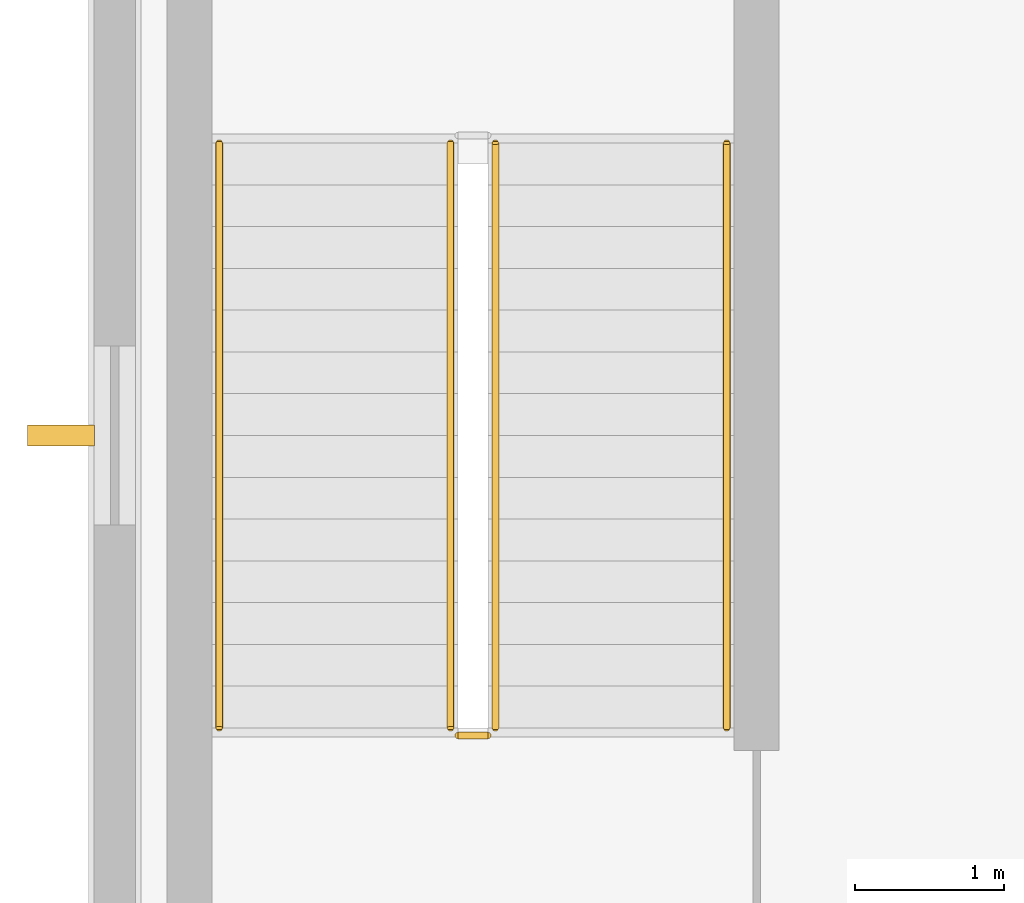
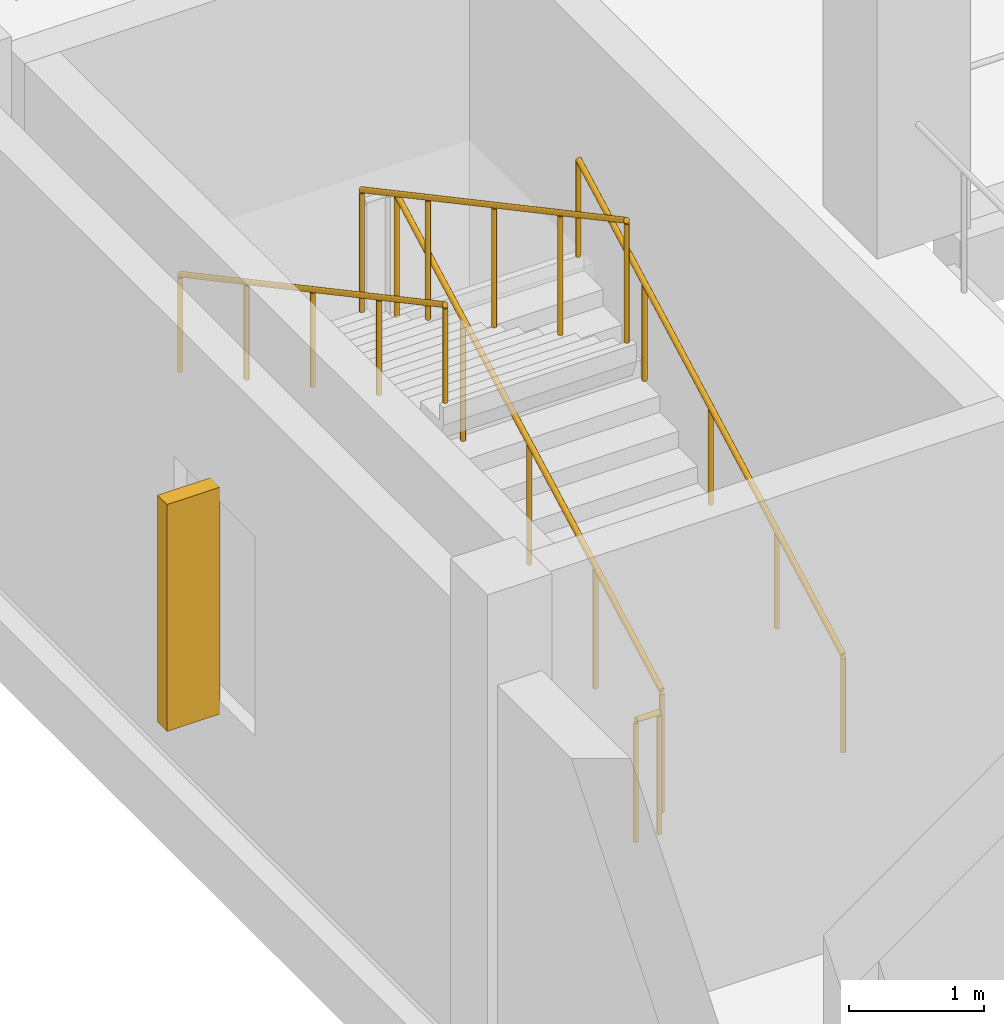
# One storey, part 70 of 77: 5 railings, 1 shading device.
"""IFC4 building model written with IfcOpenShell, lengths in metres."""

from ifc_helpers import new_model, si_unit, direction, frame, origin, origin_2d, place, context, subcontext, project, spatial, rectangle, circle, extrude, material, type_object, element, save


model = new_model("IFC4")

# Units and contexts
model_context = context("Model", 3, precision=1e-05, world=origin(), true_north=direction((0.0, 1.0)))
body_context = subcontext(model_context, "Body", "Model", "MODEL_VIEW")
ifc_project = project(units=[si_unit("LENGTHUNIT", "METRE"), si_unit("AREAUNIT", "SQUARE_METRE"), si_unit("VOLUMEUNIT", "CUBIC_METRE"), si_unit("PLANEANGLEUNIT", "RADIAN"), si_unit("MASSUNIT", "GRAM", prefix="KILO")], contexts=[model_context])

# Site, building, storey
site_placement = place(None, origin())
site = spatial("IfcSite", under=ifc_project, at=site_placement, CompositionType="ELEMENT")
building_placement = place(site_placement, origin())
building = spatial("IfcBuilding", under=site, at=building_placement, Name="Luwemba Playhouse", CompositionType="ELEMENT")
storey_placement = place(building_placement, frame((0.0, 0.0, 9.300048828125)))
storey = spatial("IfcBuildingStorey", under=building, at=storey_placement, Name="L02", CompositionType="ELEMENT", Elevation=9.300048828125)

# Railings
ifc_material_1 = material(Name="Painted wrought-iron gallery balustrade", Category="steel")
railing_type_1 = type_object("IfcRailingType", Name="RLG-BAL-INT", PredefinedType="BALUSTRADE", material=ifc_material_1)
railing_1_placement = place(storey_placement, frame((6.550048828125, 78.0400390625, 0.14990234375)))
element("IfcRailing", 1, at=railing_1_placement, inside=storey, type_object=railing_type_1, Name="L02 ST-03 stair guard 1", PredefinedType="BALUSTRADE", context=body_context, shape_type="SweptSolid", body=[
    extrude(circle(Radius=0.02392578125, at=origin_2d()), frame((0.0, 0.0, 1.09619140625), z_axis=(0.0, 0.881466911329, 0.472245787945), x_axis=(-1.0, 0.0, 0.0)), (0.0, 0.0, 1.0), 4.447021484375),
    extrude(circle(Radius=0.02099609375, at=origin_2d()), origin(), (0.0, 0.0, 1.0), 1.072021484375),
    extrude(circle(Radius=0.02099609375, at=origin_2d()), frame((0.0, 0.97998046875, 0.52490234375)), (0.0, 0.0, 1.0), 1.072021484375),
    extrude(circle(Radius=0.02099609375, at=origin_2d()), frame((0.0, 1.9599609375, 1.050048828125)), (0.0, 0.0, 1.0), 1.072021484375),
    extrude(circle(Radius=0.02099609375, at=origin_2d()), frame((0.0, 2.93994140625, 1.5751953125)), (0.0, 0.0, 1.0), 1.072021484375),
    extrude(circle(Radius=0.02099609375, at=origin_2d()), frame((0.0, 3.919921875, 2.10009765625)), (0.0, 0.0, 1.0), 1.072021484375),
])
railing_2_placement = place(storey_placement, frame((6.25, 81.9599609375, 2.39990234375)))
element("IfcRailing", 2, at=railing_2_placement, inside=storey, type_object=railing_type_1, Name="L02 ST-03 stair guard 3", PredefinedType="BALUSTRADE", context=body_context, shape_type="SweptSolid", body=[
    extrude(circle(Radius=0.02392578125, at=origin_2d()), frame((0.0, 0.0, 1.09619140625), z_axis=(0.0, -0.881466911329, 0.472245787945), x_axis=(1.0, 0.0, 0.0)), (0.0, 0.0, 1.0), 4.447021484375),
    extrude(circle(Radius=0.02099609375, at=origin_2d()), origin(), (0.0, 0.0, 1.0), 1.072021484375),
    extrude(circle(Radius=0.02099609375, at=origin_2d()), frame((0.0, -0.97998046875, 0.52490234375)), (0.0, 0.0, 1.0), 1.072021484375),
    extrude(circle(Radius=0.02099609375, at=origin_2d()), frame((0.0, -1.9599609375, 1.050048828125)), (0.0, 0.0, 1.0), 1.072021484375),
    extrude(circle(Radius=0.02099609375, at=origin_2d()), frame((0.0, -2.93994140625, 1.5751953125)), (0.0, 0.0, 1.0), 1.072021484375),
    extrude(circle(Radius=0.02099609375, at=origin_2d()), frame((0.0, -3.919921875, 2.10009765625)), (0.0, 0.0, 1.0), 1.072021484375),
])
railing_3_placement = place(storey_placement, frame((6.5, 77.989990234375, 0.0)))
element("IfcRailing", 3, at=railing_3_placement, inside=storey, type_object=railing_type_1, Name="L02 ST-03 stair guard 4", PredefinedType="BALUSTRADE", context=body_context, shape_type="SweptSolid", body=[
    extrude(circle(Radius=0.02392578125, at=origin_2d()), frame((0.0, 0.0, 1.09619140625), z_axis=(-1.0, 0.0, 0.0), x_axis=(0.0, -1.0, 0.0)), (0.0, 0.0, 1.0), 0.199951171875),
    extrude(circle(Radius=0.02099609375, at=origin_2d()), origin(), (0.0, 0.0, 1.0), 1.072021484375),
    extrude(circle(Radius=0.02099609375, at=origin_2d()), frame((-0.199951171875, 0.0, 0.0)), (0.0, 0.0, 1.0), 1.072021484375),
])
ifc_material_2 = material(Name="Hardwood and bronze handrail", Category="wood")
railing_type_2 = type_object("IfcRailingType", Name="RLG-HR-INT", PredefinedType="HANDRAIL", material=ifc_material_2)
railing_4_placement = place(storey_placement, frame((8.10009765625, 78.0400390625, 0.14990234375)))
element("IfcRailing", 4, at=railing_4_placement, inside=storey, type_object=railing_type_2, Name="L02 ST-03 stair handrail 1", PredefinedType="HANDRAIL", context=body_context, shape_type="SweptSolid", body=[
    extrude(circle(Radius=0.02392578125, at=origin_2d()), frame((0.0, 0.0, 0.8759765625), z_axis=(0.0, 0.881466911329, 0.472245787945), x_axis=(-1.0, 0.0, 0.0)), (0.0, 0.0, 1.0), 4.447021484375),
    extrude(circle(Radius=0.02099609375, at=origin_2d()), origin(), (0.0, 0.0, 1.0), 0.851806640625),
    extrude(circle(Radius=0.02099609375, at=origin_2d()), frame((0.0, 0.97998046875, 0.52490234375)), (0.0, 0.0, 1.0), 0.851806640625),
    extrude(circle(Radius=0.02099609375, at=origin_2d()), frame((0.0, 1.9599609375, 1.050048828125)), (0.0, 0.0, 1.0), 0.851806640625),
    extrude(circle(Radius=0.02099609375, at=origin_2d()), frame((0.0, 2.93994140625, 1.5751953125)), (0.0, 0.0, 1.0), 0.851806640625),
    extrude(circle(Radius=0.02099609375, at=origin_2d()), frame((0.0, 3.919921875, 2.10009765625)), (0.0, 0.0, 1.0), 0.851806640625),
])
railing_5_placement = place(storey_placement, frame((4.699951171875, 81.9599609375, 2.39990234375)))
element("IfcRailing", 5, at=railing_5_placement, inside=storey, type_object=railing_type_2, Name="L02 ST-03 stair handrail 2", PredefinedType="HANDRAIL", context=body_context, shape_type="SweptSolid", body=[
    extrude(circle(Radius=0.02392578125, at=origin_2d()), frame((0.0, 0.0, 0.8759765625), z_axis=(0.0, -0.881466911329, 0.472245787945), x_axis=(1.0, 0.0, 0.0)), (0.0, 0.0, 1.0), 4.447021484375),
    extrude(circle(Radius=0.02099609375, at=origin_2d()), origin(), (0.0, 0.0, 1.0), 0.851806640625),
    extrude(circle(Radius=0.02099609375, at=origin_2d()), frame((0.0, -0.97998046875, 0.52490234375)), (0.0, 0.0, 1.0), 0.851806640625),
    extrude(circle(Radius=0.02099609375, at=origin_2d()), frame((0.0, -1.9599609375, 1.050048828125)), (0.0, 0.0, 1.0), 0.851806640625),
    extrude(circle(Radius=0.02099609375, at=origin_2d()), frame((0.0, -2.93994140625, 1.5751953125)), (0.0, 0.0, 1.0), 0.851806640625),
    extrude(circle(Radius=0.02099609375, at=origin_2d()), frame((0.0, -3.919921875, 2.10009765625)), (0.0, 0.0, 1.0), 0.851806640625),
])

# Shading device
ifc_material_3 = material(Name="Extruded terracotta brise-soleil fin on steel bracket", Category="masonry")
shading_device_type = type_object("IfcShadingDeviceType", Name="SHD-BRISE", PredefinedType="USERDEFINED", material=ifc_material_3)
shading_device_placement = place(storey_placement, frame((3.639892578125, 80.0, 0.82470703125), z_axis=(0.0, 0.0, 1.0), x_axis=(0.0, 1.0, 0.0)))
element("IfcShadingDevice", 6, at=shading_device_placement, inside=storey, type_object=shading_device_type, Name="L02 terracotta brise-soleil fin 045", ObjectType="TERRACOTTA BRISE SOLEIL", PredefinedType="USERDEFINED", context=body_context, shape_type="SweptSolid", body=[
    extrude(rectangle(XDim=0.139892578125, YDim=0.449951171875, at=origin_2d()), origin(), (0.0, 0.0, 1.0), 2.050048828125),
])

save(model, "model.ifc")
